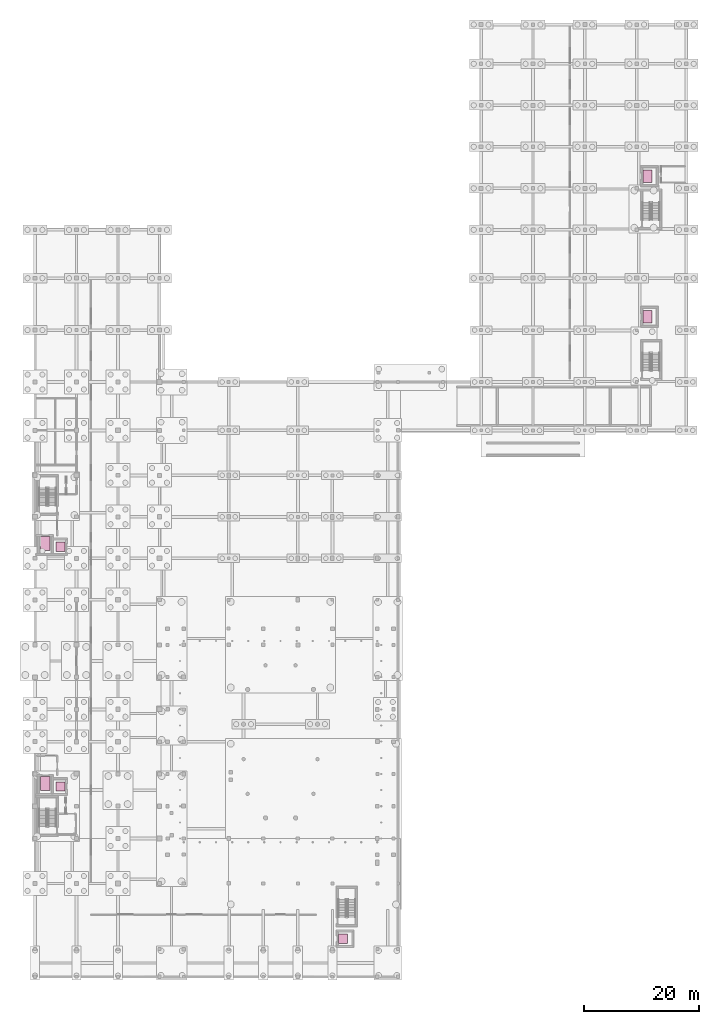
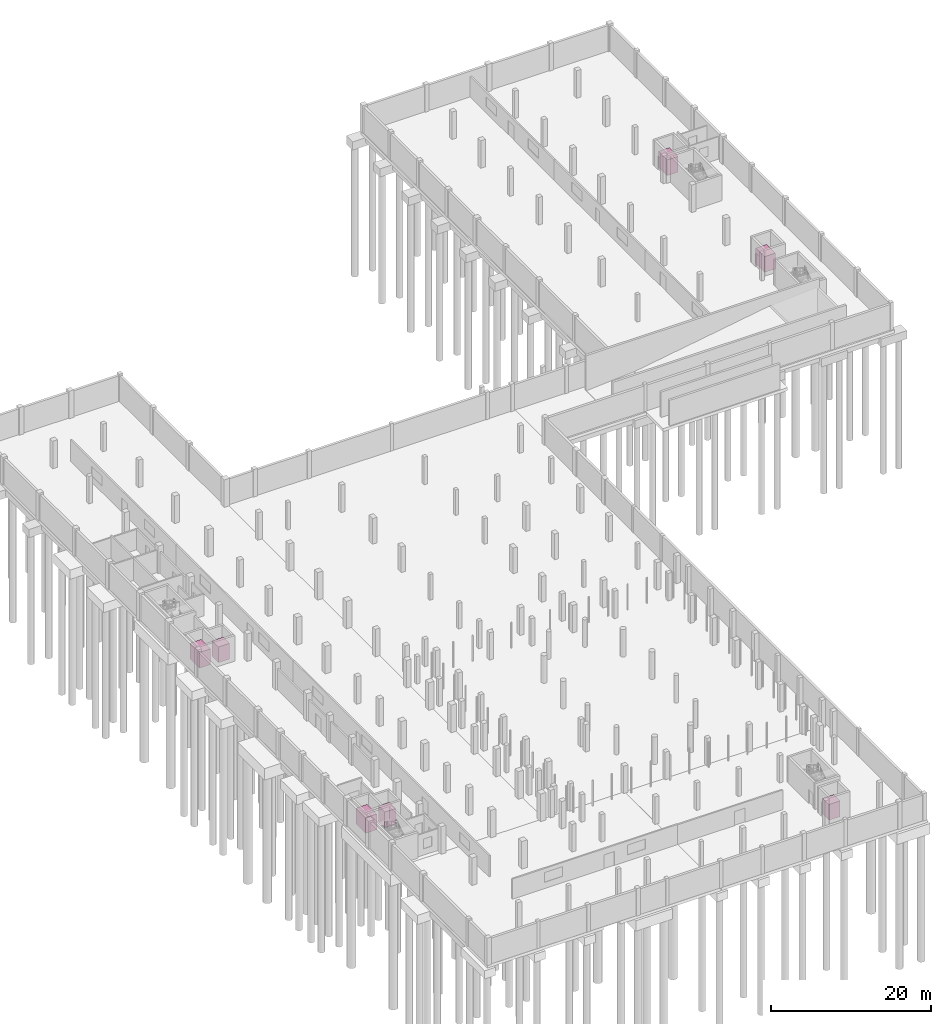
# One storey, part 34 of 34: 7 transport elements.
"""IFC4 building model written with IfcOpenShell, lengths in metres."""

from ifc_helpers import new_model, si_unit, direction, frame, origin, origin_2d, place, context, subcontext, project, spatial, rectangle, extrude, material, type_object, element, save


model = new_model("IFC4")

# Units and contexts
model_context = context("Model", 3, precision=1e-05, world=origin(), true_north=direction((0.0, 1.0)))
body_context = subcontext(model_context, "Body", "Model", "MODEL_VIEW")
ifc_project = project(units=[si_unit("LENGTHUNIT", "METRE"), si_unit("AREAUNIT", "SQUARE_METRE"), si_unit("VOLUMEUNIT", "CUBIC_METRE"), si_unit("PLANEANGLEUNIT", "RADIAN"), si_unit("MASSUNIT", "GRAM", prefix="KILO")], contexts=[model_context])

# Site, building, storey
site_placement = place(None, origin())
site = spatial("IfcSite", under=ifc_project, at=site_placement, CompositionType="ELEMENT")
building_placement = place(site_placement, origin())
building = spatial("IfcBuilding", under=site, at=building_placement, Name="Vinh Khe Railworks Police Headquarters", CompositionType="ELEMENT")
storey_placement = place(building_placement, frame((0.0, 0.0, -4.199951171875)))
storey = spatial("IfcBuildingStorey", under=building, at=storey_placement, Name="B1", CompositionType="ELEMENT", Elevation=-4.199951171875)

# Transport elements
ifc_material = material(Name="Brushed stainless steel lift car", Category="steel")
transport_element_type_1 = type_object("IfcTransportElementType", Name="LFT-FF-1600x2400", PredefinedType="ELEVATOR", material=ifc_material)
for number, where, z_axis, x_axis, name in (
    (1, (2.39990234375, 34.75, 0.0), (0.0, 0.0, 1.0), (1.0, 0.0, 0.0), "Firefighting Lift FL-01"),
    (2, (2.39990234375, 76.35009765625, 0.0), (0.0, 0.0, 1.0), (1.0, 0.0, 0.0), "Firefighting Lift FL-02"),
):
    element("IfcTransportElement", number, at=place(storey_placement, frame(where, z_axis=z_axis, x_axis=x_axis)), inside=storey, type_object=transport_element_type_1, Name=name, PredefinedType="ELEVATOR", context=body_context, shape_type="SweptSolid", body=[
        extrude(rectangle(XDim=1.60009765625, YDim=2.39990234375, at=origin_2d()), origin(), (0.0, 0.0, 1.0), 2.39990234375),
    ])
transport_element_type_2 = type_object("IfcTransportElementType", Name="LFT-PAX-1600x1600", PredefinedType="ELEVATOR", material=ifc_material)
for number, where, z_axis, x_axis, name in (
    (3, (5.050048828125, 34.199951171875, 0.0), (0.0, 0.0, 1.0), (1.0, 0.0, 0.0), "Passenger Lift PL-01"),
    (4, (5.050048828125, 75.800048828125, 0.0), (0.0, 0.0, 1.0), (1.0, 0.0, 0.0), "Passenger Lift PL-02"),
    (5, (54.050048828125, 7.800048828125, 0.0), (0.0, 0.0, 1.0), (1.0, 0.0, 0.0), "Passenger Lift PL-04"),
):
    element("IfcTransportElement", number, at=place(storey_placement, frame(where, z_axis=z_axis, x_axis=x_axis)), inside=storey, type_object=transport_element_type_2, Name=name, PredefinedType="ELEVATOR", context=body_context, shape_type="SweptSolid", body=[
        extrude(rectangle(XDim=1.60009765625, YDim=1.60009765625, at=origin_2d()), origin(), (0.0, 0.0, 1.0), 2.39990234375),
    ])
transport_element_type_3 = type_object("IfcTransportElementType", Name="LFT-SVC-1600x2200", PredefinedType="ELEVATOR", material=ifc_material)
for number, where, z_axis, x_axis, name in (
    (6, (106.85009765625, 140.10009765625, 0.0), (0.0, 0.0, 1.0), (1.0, 0.0, 0.0), "Passenger Lift PL-03"),
    (7, (106.85009765625, 115.699951171875, 0.0), (0.0, 0.0, 1.0), (1.0, 0.0, 0.0), "Passenger Lift CL-01"),
):
    element("IfcTransportElement", number, at=place(storey_placement, frame(where, z_axis=z_axis, x_axis=x_axis)), inside=storey, type_object=transport_element_type_3, Name=name, PredefinedType="ELEVATOR", context=body_context, shape_type="SweptSolid", body=[
        extrude(rectangle(XDim=1.60009765625, YDim=2.199951171875, at=origin_2d()), origin(), (0.0, 0.0, 1.0), 2.39990234375),
    ])

save(model, "model.ifc")
